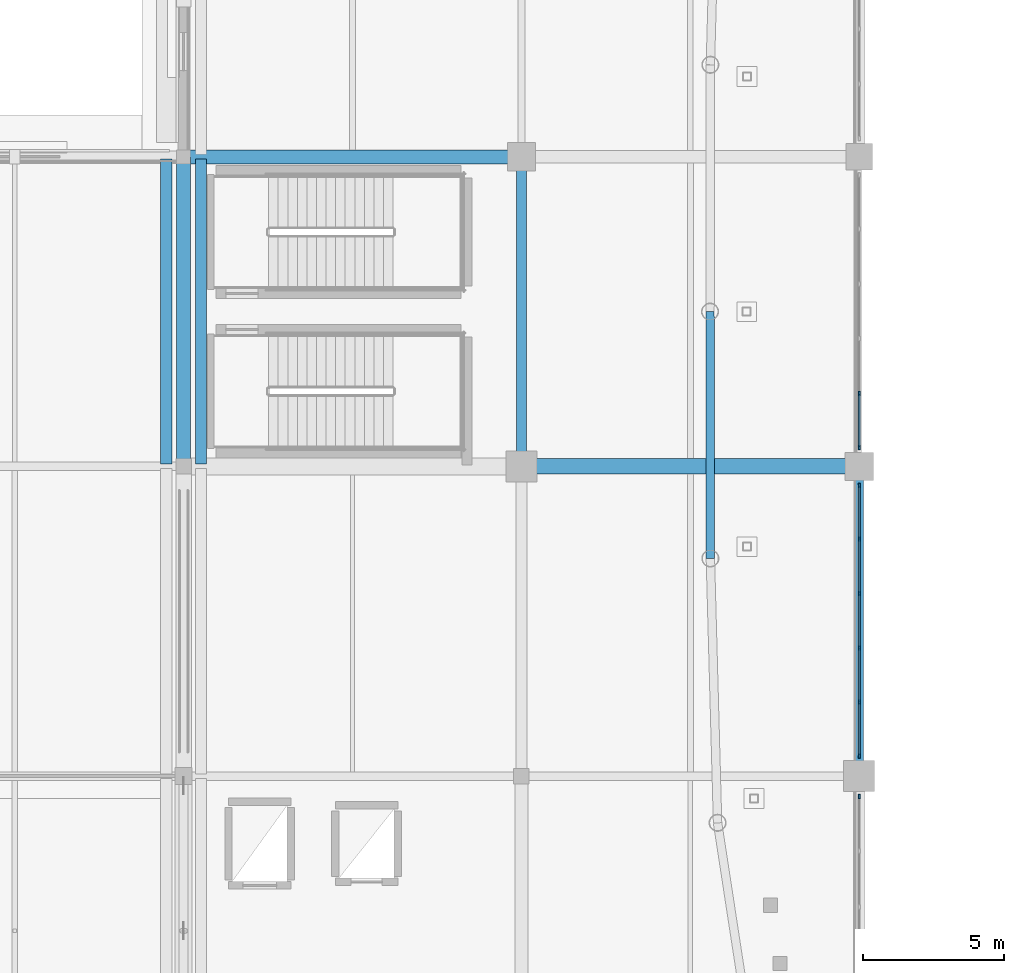
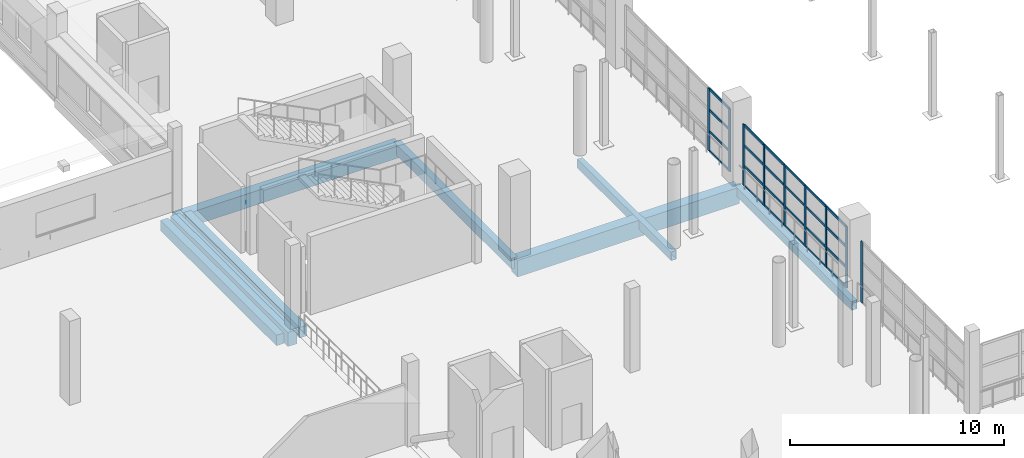
# One storey, part 30 of 143: 33 members, 8 beams, 3 elements without a shape of their own.
"""IFC4 building model written with IfcOpenShell, lengths in metres."""

from ifc_helpers import new_model, si_unit, direction, frame, origin, origin_2d, place, context, subcontext, project, spatial, rectangle, hollow_rectangle, extrude, material, material_profile, profile_set, type_object, element, aggregate, save


model = new_model("IFC4")

# Units and contexts
model_context = context("Model", 3, precision=1e-05, world=origin(), true_north=direction((0.0, 1.0)))
body_context = subcontext(model_context, "Body", "Model", "MODEL_VIEW")
ifc_project = project(units=[si_unit("LENGTHUNIT", "METRE"), si_unit("AREAUNIT", "SQUARE_METRE"), si_unit("VOLUMEUNIT", "CUBIC_METRE"), si_unit("PLANEANGLEUNIT", "RADIAN"), si_unit("MASSUNIT", "GRAM", prefix="KILO")], contexts=[model_context])

# Site, building, storey
site_placement = place(None, origin())
site = spatial("IfcSite", under=ifc_project, at=site_placement, CompositionType="ELEMENT")
building_placement = place(site_placement, origin())
building = spatial("IfcBuilding", under=site, at=building_placement, Name="Luwafu Chhajja Arena", CompositionType="ELEMENT")
storey_placement = place(building_placement, frame((0.0, 0.0, 5.39990234375)))
storey = spatial("IfcBuildingStorey", under=building, at=storey_placement, Name="L01", CompositionType="ELEMENT", Elevation=5.39990234375)

# Beam
ifc_material_1 = material(Name="Concrete C35/45", Category="concrete")
ifc_material_profile_1 = material_profile(ifc_material_1, rectangle(XDim=0.35009765625, YDim=0.60009765625, at=origin_2d()), Name="RC 350x600")
ifc_profile_set_1 = profile_set([ifc_material_profile_1], Name="Concrete C35/45")
beam_type_1 = type_object("IfcBeamType", Name="Arcade Tie Beam RC 350x600", PredefinedType="BEAM", material=ifc_profile_set_1)
beam_1_placement = place(storey_placement, frame((46.0, 44.0, -0.6298828125), z_axis=(0.0, 1.0, 0.0), x_axis=(-1.0, 0.0, 0.0)))
element("IfcBeam", 1, at=beam_1_placement, inside=storey, type_object=beam_type_1, Name="L01 Grid Beam 5/E-F", PredefinedType="BEAM", context=body_context, shape_type="SweptSolid", body=[
    extrude(rectangle(XDim=0.35009765625, YDim=0.60009765625, at=origin_2d()), origin(), (0.0, 0.0, 1.0), 11.0),
])

# Curtain wall, member
ifc_material_2 = material(Name="Anodised bronze aluminium", Category="aluminium")
curtain_wall_type = type_object("IfcCurtainWallType", Name="Bowl Concourse Chord Curtain Wall", PredefinedType="USERDEFINED", material=ifc_material_2)
curtain_wall_1_placement = place(storey_placement, origin())
curtain_wall_1 = element("IfcCurtainWall", 2, at=curtain_wall_1_placement, inside=storey, type_object=curtain_wall_type, Name="L01 Bowl Viewing Curtain Wall CWR-L01-15", ObjectType="CURTAIN WALL", PredefinedType="USERDEFINED")
ifc_material_profile_2 = material_profile(ifc_material_2, rectangle(XDim=0.06005859375, YDim=0.159912109375, at=origin_2d()), Name="CWM 60x160")
ifc_profile_set_2 = profile_set([ifc_material_profile_2], Name="Anodised bronze aluminium")
member_type_1 = type_object("IfcMemberType", Name="Bronze Curtain Wall Mullion 60x160", PredefinedType="MULLION", material=ifc_profile_set_2)
member_1_placement = place(storey_placement, frame((58.0, 32.280029296875, 0.0), z_axis=(0.0, 0.0, 1.0), x_axis=(-1.0, 0.0, 0.0)))
member_1 = element("IfcMember", 3, at=member_1_placement, type_object=member_type_1, Name="CW-01 mullion 6", PredefinedType="MULLION", context=body_context, shape_type="SweptSolid", body=[
    extrude(rectangle(XDim=0.06005859375, YDim=0.159912109375, at=origin_2d()), origin(), (0.0, 0.0, 1.0), 3.489990234375),
])
aggregate(curtain_wall_1, [member_1])

# Curtain wall, members
curtain_wall_2_placement = place(storey_placement, origin())
curtain_wall_2 = element("IfcCurtainWall", 4, at=curtain_wall_2_placement, inside=storey, type_object=curtain_wall_type, Name="L01 Bowl Viewing Curtain Wall CWR-L01-16", ObjectType="CURTAIN WALL", PredefinedType="USERDEFINED")
member_2_placement = place(storey_placement, frame((58.0, 33.719970703125, 0.0), z_axis=(0.0, 0.0, 1.0), x_axis=(-1.0, 0.0, 0.0)))
member_2 = element("IfcMember", 5, at=member_2_placement, type_object=member_type_1, Name="CW-01 mullion 1", PredefinedType="MULLION", context=body_context, shape_type="SweptSolid", body=[
    extrude(rectangle(XDim=0.06005859375, YDim=0.159912109375, at=origin_2d()), origin(), (0.0, 0.0, 1.0), 3.489990234375),
])
member_3_placement = place(storey_placement, frame((58.0, 35.6240234375, 0.0), z_axis=(0.0, 0.0, 1.0), x_axis=(-1.0, 0.0, 0.0)))
member_3 = element("IfcMember", 6, at=member_3_placement, type_object=member_type_1, Name="CW-01 mullion 2", PredefinedType="MULLION", context=body_context, shape_type="SweptSolid", body=[
    extrude(rectangle(XDim=0.06005859375, YDim=0.159912109375, at=origin_2d()), origin(), (0.0, 0.0, 1.0), 3.489990234375),
])
member_4_placement = place(storey_placement, frame((58.0, 37.55810546875, 0.0), z_axis=(0.0, 0.0, 1.0), x_axis=(-1.0, 0.0, 0.0)))
member_4 = element("IfcMember", 7, at=member_4_placement, type_object=member_type_1, Name="CW-01 mullion 3", PredefinedType="MULLION", context=body_context, shape_type="SweptSolid", body=[
    extrude(rectangle(XDim=0.06005859375, YDim=0.159912109375, at=origin_2d()), origin(), (0.0, 0.0, 1.0), 3.489990234375),
])
member_5_placement = place(storey_placement, frame((58.0, 39.491943359375, 0.0), z_axis=(0.0, 0.0, 1.0), x_axis=(-1.0, 0.0, 0.0)))
member_5 = element("IfcMember", 8, at=member_5_placement, type_object=member_type_1, Name="CW-01 mullion 4", PredefinedType="MULLION", context=body_context, shape_type="SweptSolid", body=[
    extrude(rectangle(XDim=0.06005859375, YDim=0.159912109375, at=origin_2d()), origin(), (0.0, 0.0, 1.0), 3.489990234375),
])
member_6_placement = place(storey_placement, frame((58.0, 41.426025390625, 0.0), z_axis=(0.0, 0.0, 1.0), x_axis=(-1.0, 0.0, 0.0)))
member_6 = element("IfcMember", 9, at=member_6_placement, type_object=member_type_1, Name="CW-01 mullion 5", PredefinedType="MULLION", context=body_context, shape_type="SweptSolid", body=[
    extrude(rectangle(XDim=0.06005859375, YDim=0.159912109375, at=origin_2d()), origin(), (0.0, 0.0, 1.0), 3.489990234375),
])
member_7_placement = place(storey_placement, frame((58.0, 43.330078125, 0.0), z_axis=(0.0, 0.0, 1.0), x_axis=(-1.0, 0.0, 0.0)))
member_7 = element("IfcMember", 10, at=member_7_placement, type_object=member_type_1, Name="CW-01 mullion 6", PredefinedType="MULLION", context=body_context, shape_type="SweptSolid", body=[
    extrude(rectangle(XDim=0.06005859375, YDim=0.159912109375, at=origin_2d()), origin(), (0.0, 0.0, 1.0), 3.489990234375),
])

curtain_wall_3_placement = place(storey_placement, origin())
curtain_wall_3 = element("IfcCurtainWall", 11, at=curtain_wall_3_placement, inside=storey, type_object=curtain_wall_type, Name="L01 Bowl Viewing Curtain Wall CWR-L01-17", ObjectType="CURTAIN WALL", PredefinedType="USERDEFINED")
member_8_placement = place(storey_placement, frame((58.0, 44.669921875, 0.0), z_axis=(0.0, 0.0, 1.0), x_axis=(-1.0, 0.0, 0.0)))
member_8 = element("IfcMember", 12, at=member_8_placement, type_object=member_type_1, Name="CW-01 mullion 1", PredefinedType="MULLION", context=body_context, shape_type="SweptSolid", body=[
    extrude(rectangle(XDim=0.06005859375, YDim=0.159912109375, at=origin_2d()), origin(), (0.0, 0.0, 1.0), 3.590087890625),
])
member_9_placement = place(storey_placement, frame((58.0, 46.589111328125, 0.0), z_axis=(0.0, 0.0, 1.0), x_axis=(-1.0, 0.0, 0.0)))
member_9 = element("IfcMember", 13, at=member_9_placement, type_object=member_type_1, Name="CW-01 mullion 2", PredefinedType="MULLION", context=body_context, shape_type="SweptSolid", body=[
    extrude(rectangle(XDim=0.06005859375, YDim=0.159912109375, at=origin_2d()), origin(), (0.0, 0.0, 1.0), 3.590087890625),
])

# Member
ifc_material_profile_3 = material_profile(ifc_material_2, rectangle(XDim=0.06005859375, YDim=0.1298828125, at=origin_2d()), Name="CWT 60x130")
ifc_profile_set_3 = profile_set([ifc_material_profile_3], Name="Anodised bronze aluminium")
member_type_2 = type_object("IfcMemberType", Name="Bronze Curtain Wall Transom 60x130", PredefinedType="USERDEFINED", material=ifc_profile_set_3)
member_10_placement = place(storey_placement, frame((58.0, 33.75, 0.030029296875), z_axis=(0.0, 1.0, 0.0), x_axis=(-1.0, 0.0, 0.0)))
member_10 = element("IfcMember", 14, at=member_10_placement, type_object=member_type_2, Name="CW-01 transom 1.1", ObjectType="TRANSOM", PredefinedType="USERDEFINED", context=body_context, shape_type="SweptSolid", body=[
    extrude(rectangle(XDim=0.06005859375, YDim=0.1298828125, at=origin_2d()), origin(), (0.0, 0.0, 1.0), 1.843994140625),
])

member_11_placement = place(storey_placement, frame((58.0, 33.75, 1.150146484375), z_axis=(0.0, 1.0, 0.0), x_axis=(-1.0, 0.0, 0.0)))
member_11 = element("IfcMember", 15, at=member_11_placement, type_object=member_type_2, Name="CW-01 transom 1.2", ObjectType="TRANSOM", PredefinedType="USERDEFINED", context=body_context, shape_type="SweptSolid", body=[
    extrude(rectangle(XDim=0.06005859375, YDim=0.1298828125, at=origin_2d()), origin(), (0.0, 0.0, 1.0), 1.843994140625),
])

member_12_placement = place(storey_placement, frame((58.0, 33.75, 2.320068359375), z_axis=(0.0, 1.0, 0.0), x_axis=(-1.0, 0.0, 0.0)))
member_12 = element("IfcMember", 16, at=member_12_placement, type_object=member_type_2, Name="CW-01 transom 1.3", ObjectType="TRANSOM", PredefinedType="USERDEFINED", context=body_context, shape_type="SweptSolid", body=[
    extrude(rectangle(XDim=0.06005859375, YDim=0.1298828125, at=origin_2d()), origin(), (0.0, 0.0, 1.0), 1.843994140625),
])

member_13_placement = place(storey_placement, frame((58.0, 33.75, 3.460205078125), z_axis=(0.0, 1.0, 0.0), x_axis=(-1.0, 0.0, 0.0)))
member_13 = element("IfcMember", 17, at=member_13_placement, type_object=member_type_2, Name="CW-01 transom 1.4", ObjectType="TRANSOM", PredefinedType="USERDEFINED", context=body_context, shape_type="SweptSolid", body=[
    extrude(rectangle(XDim=0.06005859375, YDim=0.1298828125, at=origin_2d()), origin(), (0.0, 0.0, 1.0), 1.843994140625),
])

member_14_placement = place(storey_placement, frame((58.0, 35.654052734375, 0.030029296875), z_axis=(0.0, 1.0, 0.0), x_axis=(-1.0, 0.0, 0.0)))
member_14 = element("IfcMember", 18, at=member_14_placement, type_object=member_type_2, Name="CW-01 transom 2.1", ObjectType="TRANSOM", PredefinedType="USERDEFINED", context=body_context, shape_type="SweptSolid", body=[
    extrude(rectangle(XDim=0.06005859375, YDim=0.1298828125, at=origin_2d()), origin(), (0.0, 0.0, 1.0), 1.8740234375),
])

member_15_placement = place(storey_placement, frame((58.0, 35.654052734375, 1.150146484375), z_axis=(0.0, 1.0, 0.0), x_axis=(-1.0, 0.0, 0.0)))
member_15 = element("IfcMember", 19, at=member_15_placement, type_object=member_type_2, Name="CW-01 transom 2.2", ObjectType="TRANSOM", PredefinedType="USERDEFINED", context=body_context, shape_type="SweptSolid", body=[
    extrude(rectangle(XDim=0.06005859375, YDim=0.1298828125, at=origin_2d()), origin(), (0.0, 0.0, 1.0), 1.8740234375),
])

member_16_placement = place(storey_placement, frame((58.0, 35.654052734375, 2.320068359375), z_axis=(0.0, 1.0, 0.0), x_axis=(-1.0, 0.0, 0.0)))
member_16 = element("IfcMember", 20, at=member_16_placement, type_object=member_type_2, Name="CW-01 transom 2.3", ObjectType="TRANSOM", PredefinedType="USERDEFINED", context=body_context, shape_type="SweptSolid", body=[
    extrude(rectangle(XDim=0.06005859375, YDim=0.1298828125, at=origin_2d()), origin(), (0.0, 0.0, 1.0), 1.8740234375),
])

member_17_placement = place(storey_placement, frame((58.0, 35.654052734375, 3.460205078125), z_axis=(0.0, 1.0, 0.0), x_axis=(-1.0, 0.0, 0.0)))
member_17 = element("IfcMember", 21, at=member_17_placement, type_object=member_type_2, Name="CW-01 transom 2.4", ObjectType="TRANSOM", PredefinedType="USERDEFINED", context=body_context, shape_type="SweptSolid", body=[
    extrude(rectangle(XDim=0.06005859375, YDim=0.1298828125, at=origin_2d()), origin(), (0.0, 0.0, 1.0), 1.8740234375),
])

member_18_placement = place(storey_placement, frame((58.0, 37.587890625, 0.030029296875), z_axis=(0.0, 1.0, 0.0), x_axis=(-1.0, 0.0, 0.0)))
member_18 = element("IfcMember", 22, at=member_18_placement, type_object=member_type_2, Name="CW-01 transom 3.1", ObjectType="TRANSOM", PredefinedType="USERDEFINED", context=body_context, shape_type="SweptSolid", body=[
    extrude(rectangle(XDim=0.06005859375, YDim=0.1298828125, at=origin_2d()), origin(), (0.0, 0.0, 1.0), 1.8740234375),
])

member_19_placement = place(storey_placement, frame((58.0, 37.587890625, 1.150146484375), z_axis=(0.0, 1.0, 0.0), x_axis=(-1.0, 0.0, 0.0)))
member_19 = element("IfcMember", 23, at=member_19_placement, type_object=member_type_2, Name="CW-01 transom 3.2", ObjectType="TRANSOM", PredefinedType="USERDEFINED", context=body_context, shape_type="SweptSolid", body=[
    extrude(rectangle(XDim=0.06005859375, YDim=0.1298828125, at=origin_2d()), origin(), (0.0, 0.0, 1.0), 1.8740234375),
])

member_20_placement = place(storey_placement, frame((58.0, 37.587890625, 2.320068359375), z_axis=(0.0, 1.0, 0.0), x_axis=(-1.0, 0.0, 0.0)))
member_20 = element("IfcMember", 24, at=member_20_placement, type_object=member_type_2, Name="CW-01 transom 3.3", ObjectType="TRANSOM", PredefinedType="USERDEFINED", context=body_context, shape_type="SweptSolid", body=[
    extrude(rectangle(XDim=0.06005859375, YDim=0.1298828125, at=origin_2d()), origin(), (0.0, 0.0, 1.0), 1.8740234375),
])

member_21_placement = place(storey_placement, frame((58.0, 37.587890625, 3.460205078125), z_axis=(0.0, 1.0, 0.0), x_axis=(-1.0, 0.0, 0.0)))
member_21 = element("IfcMember", 25, at=member_21_placement, type_object=member_type_2, Name="CW-01 transom 3.4", ObjectType="TRANSOM", PredefinedType="USERDEFINED", context=body_context, shape_type="SweptSolid", body=[
    extrude(rectangle(XDim=0.06005859375, YDim=0.1298828125, at=origin_2d()), origin(), (0.0, 0.0, 1.0), 1.8740234375),
])

member_22_placement = place(storey_placement, frame((58.0, 39.52197265625, 0.030029296875), z_axis=(0.0, 1.0, 0.0), x_axis=(-1.0, 0.0, 0.0)))
member_22 = element("IfcMember", 26, at=member_22_placement, type_object=member_type_2, Name="CW-01 transom 4.1", ObjectType="TRANSOM", PredefinedType="USERDEFINED", context=body_context, shape_type="SweptSolid", body=[
    extrude(rectangle(XDim=0.06005859375, YDim=0.1298828125, at=origin_2d()), origin(), (0.0, 0.0, 1.0), 1.8740234375),
])

member_23_placement = place(storey_placement, frame((58.0, 39.52197265625, 1.150146484375), z_axis=(0.0, 1.0, 0.0), x_axis=(-1.0, 0.0, 0.0)))
member_23 = element("IfcMember", 27, at=member_23_placement, type_object=member_type_2, Name="CW-01 transom 4.2", ObjectType="TRANSOM", PredefinedType="USERDEFINED", context=body_context, shape_type="SweptSolid", body=[
    extrude(rectangle(XDim=0.06005859375, YDim=0.1298828125, at=origin_2d()), origin(), (0.0, 0.0, 1.0), 1.8740234375),
])

member_24_placement = place(storey_placement, frame((58.0, 39.52197265625, 2.320068359375), z_axis=(0.0, 1.0, 0.0), x_axis=(-1.0, 0.0, 0.0)))
member_24 = element("IfcMember", 28, at=member_24_placement, type_object=member_type_2, Name="CW-01 transom 4.3", ObjectType="TRANSOM", PredefinedType="USERDEFINED", context=body_context, shape_type="SweptSolid", body=[
    extrude(rectangle(XDim=0.06005859375, YDim=0.1298828125, at=origin_2d()), origin(), (0.0, 0.0, 1.0), 1.8740234375),
])

member_25_placement = place(storey_placement, frame((58.0, 39.52197265625, 3.460205078125), z_axis=(0.0, 1.0, 0.0), x_axis=(-1.0, 0.0, 0.0)))
member_25 = element("IfcMember", 29, at=member_25_placement, type_object=member_type_2, Name="CW-01 transom 4.4", ObjectType="TRANSOM", PredefinedType="USERDEFINED", context=body_context, shape_type="SweptSolid", body=[
    extrude(rectangle(XDim=0.06005859375, YDim=0.1298828125, at=origin_2d()), origin(), (0.0, 0.0, 1.0), 1.8740234375),
])

member_26_placement = place(storey_placement, frame((58.0, 41.4560546875, 0.030029296875), z_axis=(0.0, 1.0, 0.0), x_axis=(-1.0, 0.0, 0.0)))
member_26 = element("IfcMember", 30, at=member_26_placement, type_object=member_type_2, Name="CW-01 transom 5.1", ObjectType="TRANSOM", PredefinedType="USERDEFINED", context=body_context, shape_type="SweptSolid", body=[
    extrude(rectangle(XDim=0.06005859375, YDim=0.1298828125, at=origin_2d()), origin(), (0.0, 0.0, 1.0), 1.843994140625),
])

member_27_placement = place(storey_placement, frame((58.0, 41.4560546875, 1.150146484375), z_axis=(0.0, 1.0, 0.0), x_axis=(-1.0, 0.0, 0.0)))
member_27 = element("IfcMember", 31, at=member_27_placement, type_object=member_type_2, Name="CW-01 transom 5.2", ObjectType="TRANSOM", PredefinedType="USERDEFINED", context=body_context, shape_type="SweptSolid", body=[
    extrude(rectangle(XDim=0.06005859375, YDim=0.1298828125, at=origin_2d()), origin(), (0.0, 0.0, 1.0), 1.843994140625),
])

member_28_placement = place(storey_placement, frame((58.0, 41.4560546875, 2.320068359375), z_axis=(0.0, 1.0, 0.0), x_axis=(-1.0, 0.0, 0.0)))
member_28 = element("IfcMember", 32, at=member_28_placement, type_object=member_type_2, Name="CW-01 transom 5.3", ObjectType="TRANSOM", PredefinedType="USERDEFINED", context=body_context, shape_type="SweptSolid", body=[
    extrude(rectangle(XDim=0.06005859375, YDim=0.1298828125, at=origin_2d()), origin(), (0.0, 0.0, 1.0), 1.843994140625),
])

member_29_placement = place(storey_placement, frame((58.0, 41.4560546875, 3.460205078125), z_axis=(0.0, 1.0, 0.0), x_axis=(-1.0, 0.0, 0.0)))
member_29 = element("IfcMember", 33, at=member_29_placement, type_object=member_type_2, Name="CW-01 transom 5.4", ObjectType="TRANSOM", PredefinedType="USERDEFINED", context=body_context, shape_type="SweptSolid", body=[
    extrude(rectangle(XDim=0.06005859375, YDim=0.1298828125, at=origin_2d()), origin(), (0.0, 0.0, 1.0), 1.843994140625),
])

aggregate(curtain_wall_2, [member_2, member_3, member_4, member_5, member_6, member_7, member_10, member_11, member_12, member_13, member_14, member_15, member_16, member_17, member_18, member_19, member_20, member_21, member_22, member_23, member_24, member_25, member_26, member_27, member_28, member_29])

member_30_placement = place(storey_placement, frame((58.0, 44.699951171875, 0.030029296875), z_axis=(0.0, 1.0, 0.0), x_axis=(-1.0, 0.0, 0.0)))
member_30 = element("IfcMember", 34, at=member_30_placement, type_object=member_type_2, Name="CW-01 transom 1.1", ObjectType="TRANSOM", PredefinedType="USERDEFINED", context=body_context, shape_type="SweptSolid", body=[
    extrude(rectangle(XDim=0.06005859375, YDim=0.1298828125, at=origin_2d()), origin(), (0.0, 0.0, 1.0), 1.859130859375),
])

member_31_placement = place(storey_placement, frame((58.0, 44.699951171875, 1.150146484375), z_axis=(0.0, 1.0, 0.0), x_axis=(-1.0, 0.0, 0.0)))
member_31 = element("IfcMember", 35, at=member_31_placement, type_object=member_type_2, Name="CW-01 transom 1.2", ObjectType="TRANSOM", PredefinedType="USERDEFINED", context=body_context, shape_type="SweptSolid", body=[
    extrude(rectangle(XDim=0.06005859375, YDim=0.1298828125, at=origin_2d()), origin(), (0.0, 0.0, 1.0), 1.859130859375),
])

member_32_placement = place(storey_placement, frame((58.0, 44.699951171875, 2.3701171875), z_axis=(0.0, 1.0, 0.0), x_axis=(-1.0, 0.0, 0.0)))
member_32 = element("IfcMember", 36, at=member_32_placement, type_object=member_type_2, Name="CW-01 transom 1.3", ObjectType="TRANSOM", PredefinedType="USERDEFINED", context=body_context, shape_type="SweptSolid", body=[
    extrude(rectangle(XDim=0.06005859375, YDim=0.1298828125, at=origin_2d()), origin(), (0.0, 0.0, 1.0), 1.859130859375),
])

member_33_placement = place(storey_placement, frame((58.0, 44.699951171875, 3.56005859375), z_axis=(0.0, 1.0, 0.0), x_axis=(-1.0, 0.0, 0.0)))
member_33 = element("IfcMember", 37, at=member_33_placement, type_object=member_type_2, Name="CW-01 transom 1.4", ObjectType="TRANSOM", PredefinedType="USERDEFINED", context=body_context, shape_type="SweptSolid", body=[
    extrude(rectangle(XDim=0.06005859375, YDim=0.1298828125, at=origin_2d()), origin(), (0.0, 0.0, 1.0), 1.859130859375),
])

aggregate(curtain_wall_3, [member_8, member_9, member_30, member_31, member_32, member_33])

# Beams
ifc_material_profile_4 = material_profile(ifc_material_1, rectangle(XDim=0.550048828125, YDim=0.949951171875, at=origin_2d()), Name="RC 550x950")
ifc_profile_set_4 = profile_set([ifc_material_profile_4], Name="Concrete C35/45")
beam_type_2 = type_object("IfcBeamType", Name="Concourse Radial Girder RC 550x950", PredefinedType="BEAM", material=ifc_profile_set_4)
beam_2_placement = place(storey_placement, frame((46.0, 44.0, -0.804931640625), z_axis=(1.0, 0.0, 0.0), x_axis=(0.0, 1.0, 0.0)))
element("IfcBeam", 38, at=beam_2_placement, inside=storey, type_object=beam_type_2, Name="L01 Grid Beam 5-6/E", PredefinedType="BEAM", context=body_context, shape_type="SweptSolid", body=[
    extrude(rectangle(XDim=0.550048828125, YDim=0.949951171875, at=origin_2d()), origin(), (0.0, 0.0, 1.0), 12.0),
])
ifc_material_profile_5 = material_profile(ifc_material_1, rectangle(XDim=0.5, YDim=0.800048828125, at=origin_2d()), Name="RC 500x800")
ifc_profile_set_5 = profile_set([ifc_material_profile_5], Name="Concrete C35/45")
beam_type_3 = type_object("IfcBeamType", Name="Hospitality Primary Beam RC 500x800", PredefinedType="BEAM", material=ifc_profile_set_5)
beam_3_placement = place(storey_placement, frame((34.0, 55.0, -0.72998046875), z_axis=(1.0, 0.0, 0.0), x_axis=(0.0, 1.0, 0.0)))
element("IfcBeam", 39, at=beam_3_placement, inside=storey, type_object=beam_type_3, Name="L01 Grid Beam 4-5/F", PredefinedType="BEAM", context=body_context, shape_type="SweptSolid", body=[
    extrude(rectangle(XDim=0.5, YDim=0.800048828125, at=origin_2d()), origin(), (0.0, 0.0, 1.0), 12.0),
])
beam_4_placement = place(storey_placement, frame((34.0, 44.0, -0.72998046875), z_axis=(0.0, 1.0, 0.0), x_axis=(-1.0, 0.0, 0.0)))
element("IfcBeam", 40, at=beam_4_placement, inside=storey, type_object=beam_type_3, Name="L01 Grid Beam 4/E-F", PredefinedType="BEAM", context=body_context, shape_type="SweptSolid", body=[
    extrude(rectangle(XDim=0.5, YDim=0.800048828125, at=origin_2d()), origin(), (0.0, 0.0, 1.0), 11.0),
])
ifc_material_3 = material(Name="Steel S355", Category="steel")
ifc_material_profile_6 = material_profile(ifc_material_3, hollow_rectangle(XDim=0.300048828125, YDim=0.5, WallThickness=0.02001953125, at=origin_2d()), Name="RHS 500x300x20")
ifc_profile_set_6 = profile_set([ifc_material_profile_6], Name="Steel S355")
beam_type_4 = type_object("IfcBeamType", Name="Pleated Drum Spandrel Beam RHS 500x300", PredefinedType="SPANDREL", material=ifc_profile_set_6)
beam_5_placement = place(storey_placement, frame((58.0, 33.0, -0.579833984375), z_axis=(0.0, 1.0, 0.0), x_axis=(-1.0, 0.0, 0.0)))
element("IfcBeam", 41, at=beam_5_placement, inside=storey, type_object=beam_type_4, Name="L01 Grid Beam 6/D-E", PredefinedType="SPANDREL", context=body_context, shape_type="SweptSolid", body=[
    extrude(hollow_rectangle(XDim=0.300048828125, YDim=0.5, WallThickness=0.02001953125, at=origin_2d()), origin(), (0.0, 0.0, 1.0), 11.0),
])
beam_6_placement = place(storey_placement, frame((52.699951171875, 49.5, -0.579833984375), z_axis=(0.001419780869, -0.999998992111, 0.0), x_axis=(0.999998992111, 0.001419780869, 0.0)))
element("IfcBeam", 42, at=beam_6_placement, inside=storey, type_object=beam_type_4, Name="L01 Drum Ring Spandrel D17-D18", PredefinedType="SPANDREL", context=body_context, shape_type="SweptSolid", body=[
    extrude(hollow_rectangle(XDim=0.300048828125, YDim=0.5, WallThickness=0.02001953125, at=origin_2d()), origin(), (0.0, 0.0, 1.0), 8.769775390625),
])
ifc_material_profile_7 = material_profile(ifc_material_1, rectangle(XDim=0.39990234375, YDim=0.60009765625, at=origin_2d()), Name="RC 400x600")
ifc_profile_set_7 = profile_set([ifc_material_profile_7], Name="Concrete C35/45")
beam_type_5 = type_object("IfcBeamType", Name="Podium Perimeter Spandrel RC 400x600", PredefinedType="SPANDREL", material=ifc_profile_set_7)
for number, where, z_axis, x_axis, name in (
    (43, (33.3798828125, 44.080078125, -0.6298828125), (0.0, 1.0, 0.0), (-1.0, 0.0, 0.0), "L01 Movement Joint MJ1W Seat Girder 04"),
    (44, (34.6201171875, 44.080078125, -0.6298828125), (0.0, 1.0, 0.0), (-1.0, 0.0, 0.0), "L01 Movement Joint MJ1E Seat Girder 04"),
):
    element("IfcBeam", number, at=place(storey_placement, frame(where, z_axis=z_axis, x_axis=x_axis)), inside=storey, type_object=beam_type_5, Name=name, PredefinedType="SPANDREL", context=body_context, shape_type="SweptSolid", body=[
        extrude(rectangle(XDim=0.39990234375, YDim=0.60009765625, at=origin_2d()), origin(), (0.0, 0.0, 1.0), 10.83984375),
    ])

save(model, "model.ifc")
